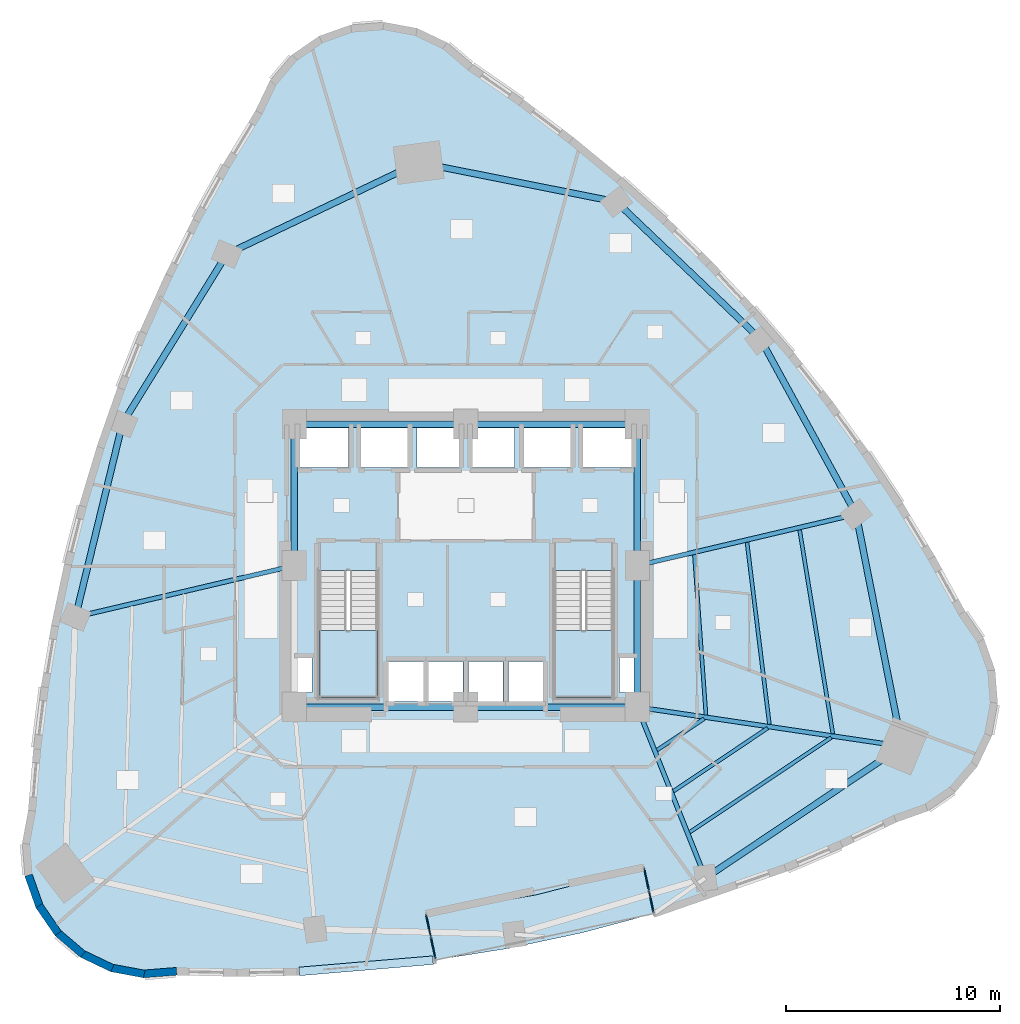
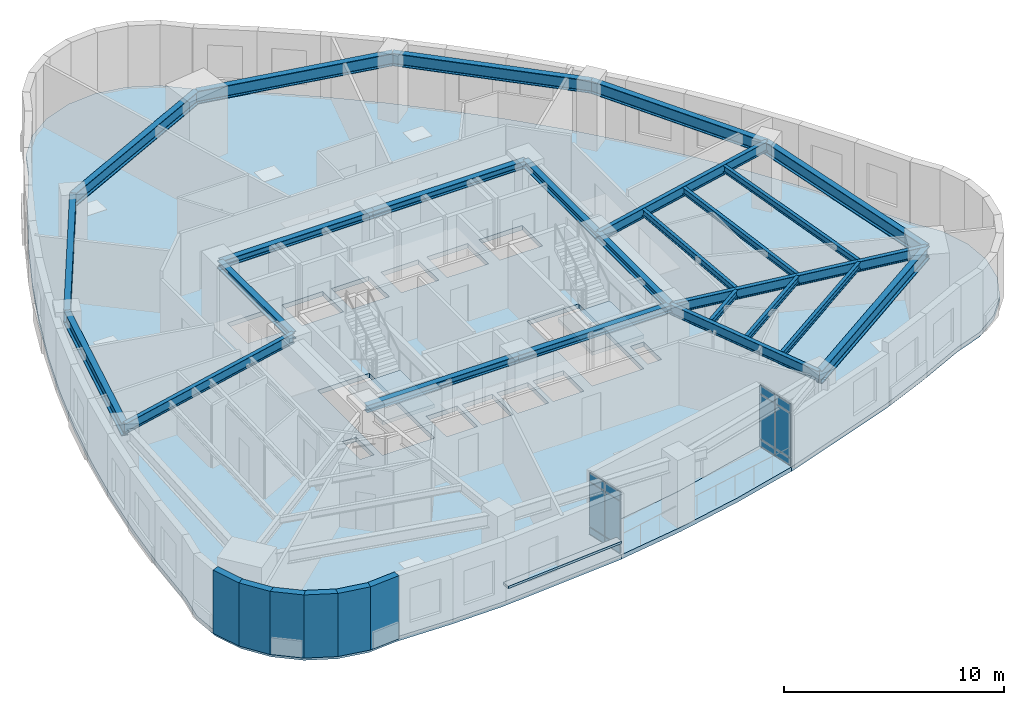
# One storey, part 4 of 12: 25 beams, 13 plates, 6 walls, 4 slabs, 4 elements without a shape of their own.
"""IFC4 building model written with IfcOpenShell, lengths in metres."""

from ifc_helpers import new_model, si_unit, direction, frame, frame_2d, origin, origin_2d, place, context, subcontext, project, spatial, polyline, rectangle, i_section, outline, extrude, material, layer, layer_set, material_profile, profile_set, type_object, element, aggregate, save


model = new_model("IFC4")

# Units and contexts
model_context = context("Model", 3, precision=1e-05, world=origin(), true_north=direction((0.0, 1.0)))
body_context = subcontext(model_context, "Body", "Model", "MODEL_VIEW")
ifc_project = project(units=[si_unit("LENGTHUNIT", "METRE"), si_unit("AREAUNIT", "SQUARE_METRE"), si_unit("VOLUMEUNIT", "CUBIC_METRE"), si_unit("PLANEANGLEUNIT", "RADIAN"), si_unit("MASSUNIT", "GRAM", prefix="KILO")], contexts=[model_context])

# Site, building, storey
site_placement = place(None, origin())
site = spatial("IfcSite", under=ifc_project, at=site_placement, CompositionType="ELEMENT")
building_placement = place(site_placement, origin())
building = spatial("IfcBuilding", under=site, at=building_placement, Name="Ndelora Gate Hotel", CompositionType="ELEMENT")
storey_placement = place(building_placement, frame((0.0, 0.0, 75.5)))
storey = spatial("IfcBuildingStorey", under=building, at=storey_placement, Name="L18", CompositionType="ELEMENT", Elevation=75.5)

# Beams
ifc_material_1 = material(Name="Steel S355", Category="steel")
ifc_material_profile_1 = material_profile(ifc_material_1, i_section(OverallWidth=0.300048828125, OverallDepth=0.39990234375, WebThickness=0.013427734375, FlangeThickness=0.02392578125, FilletRadius=0.027099609375, at=origin_2d()), Name="HEB 400")
ifc_profile_set_1 = profile_set([ifc_material_profile_1], Name="Steel S355")
beam_type_1 = type_object("IfcBeamType", Name="BM-CORE-400", PredefinedType="BEAM", material=ifc_profile_set_1)
for number, where, z_axis, x_axis, name in (
    (1, (-8.0, 6.60009765625, 3.300048828125), (1.0, 0.0, 0.0), (0.0, 1.0, 0.0), "L18 Core Tie Girder CC7-CC6"),
    (2, (0.0, 6.60009765625, 3.300048828125), (1.0, 0.0, 0.0), (0.0, 1.0, 0.0), "L18 Core Tie Girder CC6-CC5"),
):
    element("IfcBeam", number, at=place(storey_placement, frame(where, z_axis=z_axis, x_axis=x_axis)), inside=storey, type_object=beam_type_1, Name=name, PredefinedType="BEAM", context=body_context, shape_type="SweptSolid", body=[
        extrude(i_section(OverallWidth=0.300048828125, OverallDepth=0.39990234375, WebThickness=0.013427734375, FlangeThickness=0.02392578125, FilletRadius=0.027099609375, at=origin_2d()), origin(), (0.0, 0.0, 1.0), 8.0),
    ])
for number, where, z_axis, x_axis, name in (
    (3, (-8.0, 0.0, 3.300048828125), (0.0, 1.0, 0.0), (-1.0, 0.0, 0.0), "L18 Core Tie Girder CC8-CC7"),
    (4, (8.0, -6.60009765625, 3.300048828125), (0.0, 1.0, 0.0), (-1.0, 0.0, 0.0), "L18 Core Tie Girder CC3-CC4"),
    (5, (8.0, 0.0, 3.300048828125), (0.0, 1.0, 0.0), (-1.0, 0.0, 0.0), "L18 Core Tie Girder CC4-CC5"),
):
    element("IfcBeam", number, at=place(storey_placement, frame(where, z_axis=z_axis, x_axis=x_axis)), inside=storey, type_object=beam_type_1, Name=name, PredefinedType="BEAM", context=body_context, shape_type="SweptSolid", body=[
        extrude(i_section(OverallWidth=0.300048828125, OverallDepth=0.39990234375, WebThickness=0.013427734375, FlangeThickness=0.02392578125, FilletRadius=0.027099609375, at=origin_2d()), origin(), (0.0, 0.0, 1.0), 6.60009765625),
    ])
for number, where, z_axis, x_axis, name in (
    (6, (-8.0, -6.60009765625, 3.300048828125), (1.0, 0.0, 0.0), (0.0, 1.0, 0.0), "L18 Core Tie Girder CC1-CC2"),
    (7, (0.0, -6.60009765625, 3.300048828125), (1.0, 0.0, 0.0), (0.0, 1.0, 0.0), "L18 Core Tie Girder CC2-CC3"),
):
    element("IfcBeam", number, at=place(storey_placement, frame(where, z_axis=z_axis, x_axis=x_axis)), inside=storey, type_object=beam_type_1, Name=name, PredefinedType="BEAM", context=body_context, shape_type="SweptSolid", body=[
        extrude(i_section(OverallWidth=0.300048828125, OverallDepth=0.39990234375, WebThickness=0.013427734375, FlangeThickness=0.02392578125, FilletRadius=0.027099609375, at=origin_2d()), origin(), (0.0, 0.0, 1.0), 8.0),
    ])
ifc_material_profile_2 = material_profile(ifc_material_1, i_section(OverallWidth=0.169921875, OverallDepth=0.360107421875, WebThickness=0.008056640625, FlangeThickness=0.0126953125, FilletRadius=0.01806640625, at=origin_2d()), Name="IPE 360")
ifc_profile_set_2 = profile_set([ifc_material_profile_2], Name="Steel S355")
beam_type_2 = type_object("IfcBeamType", Name="BM-JST-360", PredefinedType="JOIST", material=ifc_profile_set_2)
beam_1_placement = place(storey_placement, frame((8.922119140625, -8.608154296875, 3.320068359375), z_axis=(0.830952990267, 0.556342635402, 0.0), x_axis=(-0.556342635402, 0.830952990267, 0.0)))
element("IfcBeam", 8, at=beam_1_placement, inside=storey, type_object=beam_type_2, Name="L18 Secondary Composite Floor Joist IN-8", PredefinedType="JOIST", context=body_context, shape_type="SweptSolid", body=[
    extrude(i_section(OverallWidth=0.169921875, OverallDepth=0.360107421875, WebThickness=0.008056640625, FlangeThickness=0.0126953125, FilletRadius=0.01806640625, at=origin_2d()), origin(), (0.0, 0.0, 1.0), 2.6396484375),
])
beam_2_placement = place(storey_placement, frame((9.685302734375, -10.520751953125, 3.320068359375), z_axis=(0.83093347578, 0.556371781121, 0.0), x_axis=(-0.556371781121, 0.83093347578, 0.0)))
element("IfcBeam", 9, at=beam_2_placement, inside=storey, type_object=beam_type_2, Name="L18 Secondary Composite Floor Joist MID-8", PredefinedType="JOIST", context=body_context, shape_type="SweptSolid", body=[
    extrude(i_section(OverallWidth=0.169921875, OverallDepth=0.360107421875, WebThickness=0.008056640625, FlangeThickness=0.0126953125, FilletRadius=0.01806640625, at=origin_2d()), origin(), (0.0, 0.0, 1.0), 5.2880859375),
])
beam_3_placement = place(storey_placement, frame((10.448486328125, -12.433349609375, 3.320068359375), z_axis=(0.830936507521, 0.556367253231, 0.0), x_axis=(-0.556367253231, 0.830936507521, 0.0)))
element("IfcBeam", 10, at=beam_3_placement, inside=storey, type_object=beam_type_2, Name="L18 Secondary Composite Floor Joist OUT-8", PredefinedType="JOIST", context=body_context, shape_type="SweptSolid", body=[
    extrude(i_section(OverallWidth=0.169921875, OverallDepth=0.360107421875, WebThickness=0.008056640625, FlangeThickness=0.0126953125, FilletRadius=0.01806640625, at=origin_2d()), origin(), (0.0, 0.0, 1.0), 7.936767578125),
])
beam_4_placement = place(storey_placement, frame((11.20263671875, -6.9609375, 3.320068359375), z_axis=(-0.072176031603, 0.997391909162, 0.0), x_axis=(-0.997391909162, -0.072176031603, 0.0)))
element("IfcBeam", 11, at=beam_4_placement, inside=storey, type_object=beam_type_2, Name="L18 Secondary Composite Floor Joist IN-9", PredefinedType="JOIST", context=body_context, shape_type="SweptSolid", body=[
    extrude(i_section(OverallWidth=0.169921875, OverallDepth=0.360107421875, WebThickness=0.008056640625, FlangeThickness=0.0126953125, FilletRadius=0.01806640625, at=origin_2d()), origin(), (0.0, 0.0, 1.0), 7.489013671875),
])
beam_5_placement = place(storey_placement, frame((14.160888671875, -7.400390625, 3.320068359375), z_axis=(-0.122030984704, 0.992526291225, 0.0), x_axis=(-0.992526291225, -0.122030984704, 0.0)))
element("IfcBeam", 12, at=beam_5_placement, inside=storey, type_object=beam_type_2, Name="L18 Secondary Composite Floor Joist MID-9", PredefinedType="JOIST", context=body_context, shape_type="SweptSolid", body=[
    extrude(i_section(OverallWidth=0.169921875, OverallDepth=0.360107421875, WebThickness=0.008056640625, FlangeThickness=0.0126953125, FilletRadius=0.01806640625, at=origin_2d()), origin(), (0.0, 0.0, 1.0), 8.548828125),
])
beam_6_placement = place(storey_placement, frame((17.12060546875, -7.840087890625, 3.320068359375), z_axis=(-0.160901992796, 0.986970388975, 0.0), x_axis=(-0.986970388975, -0.160901992796, 0.0)))
element("IfcBeam", 13, at=beam_6_placement, inside=storey, type_object=beam_type_2, Name="L18 Secondary Composite Floor Joist OUT-9", PredefinedType="JOIST", context=body_context, shape_type="SweptSolid", body=[
    extrude(i_section(OverallWidth=0.169921875, OverallDepth=0.360107421875, WebThickness=0.008056640625, FlangeThickness=0.0126953125, FilletRadius=0.01806640625, at=origin_2d()), origin(), (0.0, 0.0, 1.0), 9.6259765625),
])
ifc_material_profile_3 = material_profile(ifc_material_1, i_section(OverallWidth=0.2099609375, OverallDepth=0.550048828125, WebThickness=0.010986328125, FlangeThickness=0.01708984375, FilletRadius=0.02392578125, at=origin_2d()), Name="IPE 550")
ifc_profile_set_3 = profile_set([ifc_material_profile_3], Name="Steel S355")
beam_type_3 = type_object("IfcBeamType", Name="BM-RAD-550", PredefinedType="BEAM", material=ifc_profile_set_3)
beam_7_placement = place(storey_placement, frame((-8.0, 0.0, 3.22509765625), z_axis=(-0.973517848051, -0.22861102232, 0.0), x_axis=(0.22861102232, -0.973517848051, 0.0)))
element("IfcBeam", 14, at=beam_7_placement, inside=storey, type_object=beam_type_3, Name="L18 Radial Floor Girder 4", PredefinedType="BEAM", context=body_context, shape_type="SweptSolid", body=[
    extrude(i_section(OverallWidth=0.2099609375, OverallDepth=0.550048828125, WebThickness=0.010986328125, FlangeThickness=0.01708984375, FilletRadius=0.02392578125, at=origin_2d()), origin(), (0.0, 0.0, 1.0), 10.48486328125),
])
beam_8_placement = place(storey_placement, frame((8.0, -6.60009765625, 3.22509765625), z_axis=(0.37056142644, -0.92880796144, 0.0), x_axis=(0.92880796144, 0.37056142644, 0.0)))
element("IfcBeam", 15, at=beam_8_placement, inside=storey, type_object=beam_type_3, Name="L18 Radial Floor Girder 8", PredefinedType="BEAM", context=body_context, shape_type="SweptSolid", body=[
    extrude(i_section(OverallWidth=0.2099609375, OverallDepth=0.550048828125, WebThickness=0.010986328125, FlangeThickness=0.01708984375, FilletRadius=0.02392578125, at=origin_2d()), origin(), (0.0, 0.0, 1.0), 8.580078125),
])
beam_9_placement = place(storey_placement, frame((8.0, -6.60009765625, 3.22509765625), z_axis=(0.989209761041, -0.146506138649, 0.0), x_axis=(0.146506138649, 0.989209761041, 0.0)))
element("IfcBeam", 16, at=beam_9_placement, inside=storey, type_object=beam_type_3, Name="L18 Radial Floor Girder 9", PredefinedType="BEAM", context=body_context, shape_type="SweptSolid", body=[
    extrude(i_section(OverallWidth=0.2099609375, OverallDepth=0.550048828125, WebThickness=0.010986328125, FlangeThickness=0.01708984375, FilletRadius=0.02392578125, at=origin_2d()), origin(), (0.0, 0.0, 1.0), 12.48486328125),
])
beam_10_placement = place(storey_placement, frame((8.0, 0.0, 3.22509765625), z_axis=(0.973517848051, 0.22861102232, 0.0), x_axis=(-0.22861102232, 0.973517848051, 0.0)))
element("IfcBeam", 17, at=beam_10_placement, inside=storey, type_object=beam_type_3, Name="L18 Radial Floor Girder 10", PredefinedType="BEAM", context=body_context, shape_type="SweptSolid", body=[
    extrude(i_section(OverallWidth=0.2099609375, OverallDepth=0.550048828125, WebThickness=0.010986328125, FlangeThickness=0.01708984375, FilletRadius=0.02392578125, at=origin_2d()), origin(), (0.0, 0.0, 1.0), 10.48486328125),
])
ifc_material_profile_4 = material_profile(ifc_material_1, i_section(OverallWidth=0.300048828125, OverallDepth=0.699951171875, WebThickness=0.01708984375, FlangeThickness=0.031982421875, FilletRadius=0.027099609375, at=origin_2d()), Name="HEB 700")
ifc_profile_set_4 = profile_set([ifc_material_profile_4], Name="Steel S355")
beam_type_4 = type_object("IfcBeamType", Name="BM-RING-700", PredefinedType="SPANDREL", material=ifc_profile_set_4)
beam_11_placement = place(storey_placement, frame((-2.199951171875, 18.800048828125, 3.14990234375), z_axis=(-0.902476034566, -0.43074006899, 0.0), x_axis=(0.43074006899, -0.902476034566, 0.0)))
element("IfcBeam", 18, at=beam_11_placement, inside=storey, type_object=beam_type_4, Name="L18 Perimeter Spandrel Girder 1", PredefinedType="SPANDREL", context=body_context, shape_type="SweptSolid", body=[
    extrude(i_section(OverallWidth=0.300048828125, OverallDepth=0.699951171875, WebThickness=0.01708984375, FlangeThickness=0.031982421875, FilletRadius=0.027099609375, at=origin_2d()), origin(), (0.0, 0.0, 1.0), 9.91552734375),
])
beam_12_placement = place(storey_placement, frame((-11.1484375, 14.529052734375, 3.14990234375), z_axis=(-0.524897602516, -0.851165381623, 0.0), x_axis=(0.851165381623, -0.524897602516, 0.0)))
element("IfcBeam", 19, at=beam_12_placement, inside=storey, type_object=beam_type_4, Name="L18 Perimeter Spandrel Girder 2", PredefinedType="SPANDREL", context=body_context, shape_type="SweptSolid", body=[
    extrude(i_section(OverallWidth=0.300048828125, OverallDepth=0.699951171875, WebThickness=0.01708984375, FlangeThickness=0.031982421875, FilletRadius=0.027099609375, at=origin_2d()), origin(), (0.0, 0.0, 1.0), 9.27490234375),
])
beam_13_placement = place(storey_placement, frame((-16.016845703125, 6.634521484375, 3.14990234375), z_axis=(-0.235699273714, -0.971826040179, 0.0), x_axis=(0.971826040179, -0.235699273714, 0.0)))
element("IfcBeam", 20, at=beam_13_placement, inside=storey, type_object=beam_type_4, Name="L18 Perimeter Spandrel Girder 3", PredefinedType="SPANDREL", context=body_context, shape_type="SweptSolid", body=[
    extrude(i_section(OverallWidth=0.300048828125, OverallDepth=0.699951171875, WebThickness=0.01708984375, FlangeThickness=0.031982421875, FilletRadius=0.027099609375, at=origin_2d()), origin(), (0.0, 0.0, 1.0), 9.293212890625),
])
beam_14_placement = place(storey_placement, frame((11.179443359375, -14.5693359375, 3.14990234375), z_axis=(0.830945983886, 0.556353099985, 0.0), x_axis=(-0.556353099985, 0.830945983886, 0.0)))
element("IfcBeam", 21, at=beam_14_placement, inside=storey, type_object=beam_type_4, Name="L18 Perimeter Spandrel Girder 8", PredefinedType="SPANDREL", context=body_context, shape_type="SweptSolid", body=[
    extrude(i_section(OverallWidth=0.300048828125, OverallDepth=0.699951171875, WebThickness=0.01708984375, FlangeThickness=0.031982421875, FilletRadius=0.027099609375, at=origin_2d()), origin(), (0.0, 0.0, 1.0), 11.036376953125),
])
beam_15_placement = place(storey_placement, frame((20.35009765625, -8.42919921875, 3.14990234375), z_axis=(-0.194163071691, 0.980969266385, 0.0), x_axis=(-0.980969266385, -0.194163071691, 0.0)))
element("IfcBeam", 22, at=beam_15_placement, inside=storey, type_object=beam_type_4, Name="L18 Perimeter Spandrel Girder 9", PredefinedType="SPANDREL", context=body_context, shape_type="SweptSolid", body=[
    extrude(i_section(OverallWidth=0.300048828125, OverallDepth=0.699951171875, WebThickness=0.01708984375, FlangeThickness=0.031982421875, FilletRadius=0.027099609375, at=origin_2d()), origin(), (0.0, 0.0, 1.0), 11.0361328125),
])
for number, where, z_axis, x_axis, name in (
    (23, (18.207275390625, 2.39697265625, 3.14990234375), (-0.479203651005, 0.87770374322, 0.0), (-0.87770374322, -0.479203651005, 0.0), "L18 Perimeter Spandrel Girder 10"),
    (24, (13.75390625, 10.5537109375, 3.14990234375), (-0.723784227769, 0.690026370244, 0.0), (-0.690026370244, -0.723784227769, 0.0), "L18 Perimeter Spandrel Girder 11"),
):
    element("IfcBeam", number, at=place(storey_placement, frame(where, z_axis=z_axis, x_axis=x_axis)), inside=storey, type_object=beam_type_4, Name=name, PredefinedType="SPANDREL", context=body_context, shape_type="SweptSolid", body=[
        extrude(i_section(OverallWidth=0.300048828125, OverallDepth=0.699951171875, WebThickness=0.01708984375, FlangeThickness=0.031982421875, FilletRadius=0.027099609375, at=origin_2d()), origin(), (0.0, 0.0, 1.0), 9.293212890625),
    ])
beam_16_placement = place(storey_placement, frame((7.027587890625, 16.96630859375, 3.14990234375), z_axis=(-0.980820478164, 0.194913287424, 0.0), x_axis=(-0.194913287424, -0.980820478164, 0.0)))
element("IfcBeam", 25, at=beam_16_placement, inside=storey, type_object=beam_type_4, Name="L18 Perimeter Spandrel Girder 12", PredefinedType="SPANDREL", context=body_context, shape_type="SweptSolid", body=[
    extrude(i_section(OverallWidth=0.300048828125, OverallDepth=0.699951171875, WebThickness=0.01708984375, FlangeThickness=0.031982421875, FilletRadius=0.027099609375, at=origin_2d()), origin(), (0.0, 0.0, 1.0), 9.407958984375),
])

# Curtain wall, plates
ifc_material_2 = material(Name="Bronze Anodised Unitised Aluminium and Low-E Glass", Category="aluminium")
ifc_layer_1 = layer(ifc_material_2, 0.199951171875)
ifc_layer_set_1 = layer_set([ifc_layer_1], Name="Bronze Anodised Unitised Aluminium and Low-E Glass")
curtain_wall_type = type_object("IfcCurtainWallType", Name="CW-SYS-3", PredefinedType="NOTDEFINED", material=ifc_layer_set_1)
curtain_wall_1_placement = place(storey_placement, origin())
curtain_wall_1 = element("IfcCurtainWall", 26, at=curtain_wall_1_placement, inside=storey, type_object=curtain_wall_type, Name="L18 Sky-Garden Loggia Side Curtain Wall CW3-1", PredefinedType="NOTDEFINED")
ifc_material_3 = material(Name="Solar-Control Low-E Insulated Glazing", Category="glass")
ifc_layer_2 = layer(ifc_material_3, 0.048095703125)
ifc_layer_set_2 = layer_set([ifc_layer_2], Name="Solar-Control Low-E Insulated Glazing")
plate_type_1 = type_object("IfcPlateType", Name="PL-CW-GLZ36", PredefinedType="CURTAIN_PANEL", material=ifc_layer_set_2)
plate_1_placement = place(storey_placement, frame((-1.74560546875, -16.798095703125, 0.05908203125), z_axis=(0.0, 0.0, 1.0), x_axis=(0.207911488567, -0.978147643724, 0.0)))
plate_1 = element("IfcPlate", 27, at=plate_1_placement, type_object=plate_type_1, Name="CW3 panel 1.1", PredefinedType="CURTAIN_PANEL", context=body_context, shape_type="SweptSolid", body=[
    extrude(rectangle(XDim=1.014404296875, YDim=0.048095703125, at=origin_2d()), origin(), (0.0, 0.0, 1.0), 0.364501953125),
])
plate_2_placement = place(storey_placement, frame((-1.74560546875, -16.798095703125, 0.4765625), z_axis=(0.0, 0.0, 1.0), x_axis=(0.207911488567, -0.978147643724, 0.0)))
plate_2 = element("IfcPlate", 28, at=plate_2_placement, type_object=plate_type_1, Name="CW3 panel 1.2", PredefinedType="CURTAIN_PANEL", context=body_context, shape_type="SweptSolid", body=[
    extrude(rectangle(XDim=1.014404296875, YDim=0.048095703125, at=origin_2d()), origin(), (0.0, 0.0, 1.0), 2.447021484375),
])
plate_3_placement = place(storey_placement, frame((-1.74560546875, -16.798095703125, 2.9765625), z_axis=(0.0, 0.0, 1.0), x_axis=(0.207911488567, -0.978147643724, 0.0)))
plate_3 = element("IfcPlate", 29, at=plate_3_placement, type_object=plate_type_1, Name="CW3 panel 1.3", PredefinedType="CURTAIN_PANEL", context=body_context, shape_type="SweptSolid", body=[
    extrude(rectangle(XDim=1.014404296875, YDim=0.048095703125, at=origin_2d()), origin(), (0.0, 0.0, 1.0), 0.464599609375),
])
plate_4_placement = place(storey_placement, frame((-1.523681640625, -17.84228515625, 0.05908203125), z_axis=(0.0, 0.0, 1.0), x_axis=(0.207911488567, -0.978147643724, 0.0)))
plate_4 = element("IfcPlate", 30, at=plate_4_placement, type_object=plate_type_1, Name="CW3 panel 2.1", PredefinedType="CURTAIN_PANEL", context=body_context, shape_type="SweptSolid", body=[
    extrude(rectangle(XDim=1.014404296875, YDim=0.048095703125, at=origin_2d()), origin(), (0.0, 0.0, 1.0), 0.364501953125),
])
plate_5_placement = place(storey_placement, frame((-1.523681640625, -17.84228515625, 0.4765625), z_axis=(0.0, 0.0, 1.0), x_axis=(0.207911488567, -0.978147643724, 0.0)))
plate_5 = element("IfcPlate", 31, at=plate_5_placement, type_object=plate_type_1, Name="CW3 panel 2.2", PredefinedType="CURTAIN_PANEL", context=body_context, shape_type="SweptSolid", body=[
    extrude(rectangle(XDim=1.014404296875, YDim=0.048095703125, at=origin_2d()), origin(), (0.0, 0.0, 1.0), 2.447021484375),
])
plate_6_placement = place(storey_placement, frame((-1.523681640625, -17.84228515625, 2.9765625), z_axis=(0.0, 0.0, 1.0), x_axis=(0.207911488567, -0.978147643724, 0.0)))
plate_6 = element("IfcPlate", 32, at=plate_6_placement, type_object=plate_type_1, Name="CW3 panel 2.3", PredefinedType="CURTAIN_PANEL", context=body_context, shape_type="SweptSolid", body=[
    extrude(rectangle(XDim=1.014404296875, YDim=0.048095703125, at=origin_2d()), origin(), (0.0, 0.0, 1.0), 0.464599609375),
])
aggregate(curtain_wall_1, [plate_1, plate_2, plate_3, plate_4, plate_5, plate_6])

curtain_wall_2_placement = place(storey_placement, origin())
curtain_wall_2 = element("IfcCurtainWall", 33, at=curtain_wall_2_placement, inside=storey, type_object=curtain_wall_type, Name="L18 Sky-Garden Loggia Side Curtain Wall CW3-2", PredefinedType="NOTDEFINED")
plate_7_placement = place(storey_placement, frame((8.649169921875, -15.679931640625, 0.05908203125), z_axis=(0.0, 0.0, 1.0), x_axis=(-0.207911488567, 0.978147643724, 0.0)))
plate_7 = element("IfcPlate", 34, at=plate_7_placement, type_object=plate_type_1, Name="CW3 panel 1.1", PredefinedType="CURTAIN_PANEL", context=body_context, shape_type="SweptSolid", body=[
    extrude(rectangle(XDim=1.014404296875, YDim=0.048095703125, at=origin_2d()), origin(), (0.0, 0.0, 1.0), 0.364501953125),
])
plate_8_placement = place(storey_placement, frame((8.649169921875, -15.679931640625, 0.4765625), z_axis=(0.0, 0.0, 1.0), x_axis=(-0.207911488567, 0.978147643724, 0.0)))
plate_8 = element("IfcPlate", 35, at=plate_8_placement, type_object=plate_type_1, Name="CW3 panel 1.2", PredefinedType="CURTAIN_PANEL", context=body_context, shape_type="SweptSolid", body=[
    extrude(rectangle(XDim=1.014404296875, YDim=0.048095703125, at=origin_2d()), origin(), (0.0, 0.0, 1.0), 2.447021484375),
])
plate_9_placement = place(storey_placement, frame((8.649169921875, -15.679931640625, 2.9765625), z_axis=(0.0, 0.0, 1.0), x_axis=(-0.207911488567, 0.978147643724, 0.0)))
plate_9 = element("IfcPlate", 36, at=plate_9_placement, type_object=plate_type_1, Name="CW3 panel 1.3", PredefinedType="CURTAIN_PANEL", context=body_context, shape_type="SweptSolid", body=[
    extrude(rectangle(XDim=1.014404296875, YDim=0.048095703125, at=origin_2d()), origin(), (0.0, 0.0, 1.0), 0.464599609375),
])
plate_10_placement = place(storey_placement, frame((8.42724609375, -14.6357421875, 0.05908203125), z_axis=(0.0, 0.0, 1.0), x_axis=(-0.207911488567, 0.978147643724, 0.0)))
plate_10 = element("IfcPlate", 37, at=plate_10_placement, type_object=plate_type_1, Name="CW3 panel 2.1", PredefinedType="CURTAIN_PANEL", context=body_context, shape_type="SweptSolid", body=[
    extrude(rectangle(XDim=1.014404296875, YDim=0.048095703125, at=origin_2d()), origin(), (0.0, 0.0, 1.0), 0.364501953125),
])
plate_11_placement = place(storey_placement, frame((8.42724609375, -14.6357421875, 0.4765625), z_axis=(0.0, 0.0, 1.0), x_axis=(-0.207911488567, 0.978147643724, 0.0)))
plate_11 = element("IfcPlate", 38, at=plate_11_placement, type_object=plate_type_1, Name="CW3 panel 2.2", PredefinedType="CURTAIN_PANEL", context=body_context, shape_type="SweptSolid", body=[
    extrude(rectangle(XDim=1.014404296875, YDim=0.048095703125, at=origin_2d()), origin(), (0.0, 0.0, 1.0), 2.447021484375),
])
plate_12_placement = place(storey_placement, frame((8.42724609375, -14.6357421875, 2.9765625), z_axis=(0.0, 0.0, 1.0), x_axis=(-0.207911488567, 0.978147643724, 0.0)))
plate_12 = element("IfcPlate", 39, at=plate_12_placement, type_object=plate_type_1, Name="CW3 panel 2.3", PredefinedType="CURTAIN_PANEL", context=body_context, shape_type="SweptSolid", body=[
    extrude(rectangle(XDim=1.014404296875, YDim=0.048095703125, at=origin_2d()), origin(), (0.0, 0.0, 1.0), 0.464599609375),
])
aggregate(curtain_wall_2, [plate_7, plate_8, plate_9, plate_10, plate_11, plate_12])

# Plate
ifc_material_4 = material(Name="Precast concrete C40/50", Category="concrete")
ifc_layer_3 = layer(ifc_material_4, 0.125)
ifc_layer_set_3 = layer_set([ifc_layer_3], Name="Precast concrete C40/50")
plate_type_2 = type_object("IfcPlateType", Name="PL-SILL-120", PredefinedType="USERDEFINED", material=ifc_layer_set_3)
plate_13_placement = place(storey_placement, frame((-4.652587890625, -18.66943359375, 0.78759765625), z_axis=(0.0, 0.0, 1.0), x_axis=(0.996478239533, 0.083851762871, 0.0)))
element("IfcPlate", 40, at=plate_13_placement, inside=storey, type_object=plate_type_2, Name="L18 Streamline Precast Ribbon Sill 31", ObjectType="RIBBON_SILL", PredefinedType="USERDEFINED", context=body_context, shape_type="SweptSolid", body=[
    extrude(rectangle(XDim=6.26611328125, YDim=0.39990234375, at=origin_2d()), origin(), (0.0, 0.0, 1.0), 0.125),
])

# Stair, slab
stair_type = type_object("IfcStairType", Name="STR-DOG-CORE", PredefinedType="HALF_TURN_STAIR", material=ifc_material_4)
stair_1_placement = place(storey_placement, origin())
stair_1 = element("IfcStair", 41, at=stair_1_placement, inside=storey, type_object=stair_type, Name="L18 Protected Core Exit Stair ST4", PredefinedType="HALF_TURN_STAIR")
ifc_layer_4 = layer(ifc_material_4, 0.219970703125)
ifc_layer_set_4 = layer_set([ifc_layer_4], Name="Precast concrete C40/50")
slab_type_1 = type_object("IfcSlabType", Name="SL-LAND-220", PredefinedType="LANDING", material=ifc_layer_set_4)
slab_1_placement = place(storey_placement, frame((0.0, 0.0, 1.675048828125)))
slab_1 = element("IfcSlab", 42, at=slab_1_placement, type_object=slab_type_1, Name="ST4 landing 1", PredefinedType="LANDING", context=body_context, shape_type="SweptSolid", body=[
    extrude(outline(polyline([(-6.85009765625, -3.030029296875), (-6.85009765625, -6.14990234375), (-4.1298828125, -6.14990234375), (-4.1298828125, -3.030029296875), (-6.85009765625, -3.030029296875)])), origin(), (0.0, 0.0, 1.0), 0.199951171875),
])
aggregate(stair_1, [slab_1])

stair_2_placement = place(storey_placement, origin())
stair_2 = element("IfcStair", 43, at=stair_2_placement, inside=storey, type_object=stair_type, Name="L18 Protected Core Exit Stair ST5", PredefinedType="HALF_TURN_STAIR")
slab_2_placement = place(storey_placement, frame((0.0, 0.0, 1.675048828125)))
slab_2 = element("IfcSlab", 44, at=slab_2_placement, type_object=slab_type_1, Name="ST5 landing 1", PredefinedType="LANDING", context=body_context, shape_type="SweptSolid", body=[
    extrude(outline(polyline([(4.1298828125, -3.030029296875), (4.1298828125, -6.14990234375), (6.85009765625, -6.14990234375), (6.85009765625, -3.030029296875), (4.1298828125, -3.030029296875)])), origin(), (0.0, 0.0, 1.0), 0.199951171875),
])
aggregate(stair_2, [slab_2])

# Slabs
ifc_layer_5 = layer(ifc_material_4, 0.239990234375)
ifc_layer_set_5 = layer_set([ifc_layer_5], Name="Precast concrete C40/50")
slab_type_2 = type_object("IfcSlabType", Name="SL-TER-240", PredefinedType="FLOOR", material=ifc_layer_set_5)
slab_3_placement = place(storey_placement, frame((0.0, 0.0, -0.239990234375)))
element("IfcSlab", 45, at=slab_3_placement, inside=storey, type_object=slab_type_2, Name="L18 Sky Garden Loggia Terrace Slab", PredefinedType="FLOOR", context=body_context, shape_type="SweptSolid", body=[
    extrude(outline(polyline([(-1.86328125, -16.244140625), (-1.406005859375, -18.39599609375), (1.98828125, -17.857421875), (5.447021484375, -17.122314453125), (8.766845703125, -16.23388671875), (8.309326171875, -14.081787109375), (3.264892578125, -15.36083984375), (-1.86328125, -16.244140625)])), origin(), (0.0, 0.0, 1.0), 0.239990234375),
])
ifc_material_5 = material(Name="Concrete C40/50", Category="concrete")
ifc_layer_6 = layer(ifc_material_5, 0.25)
ifc_layer_set_6 = layer_set([ifc_layer_6], Name="Concrete C40/50")
slab_type_3 = type_object("IfcSlabType", Name="SL-TWR-250", PredefinedType="FLOOR", material=ifc_layer_set_6)
slab_4_placement = place(storey_placement, frame((0.0, 0.0, -0.25)))
element("IfcSlab", 46, at=slab_4_placement, inside=storey, type_object=slab_type_3, Name="L18 Structural Floor Slab", PredefinedType="FLOOR", context=body_context, shape_type="SweptSolid", body=[
    extrude(outline(polyline([(0.19189453125, 23.256103515625), (-0.95947265625, 24.2392578125), (-2.325927734375, 24.89111328125), (-3.814697265625, 25.1669921875), (-5.32421875, 25.04833984375), (-6.75146484375, 24.542724609375), (-7.999267578125, 23.685302734375), (-8.982666015625, 22.533935546875), (-9.634521484375, 21.167236328125), (-11.1572265625, 18.656005859375), (-12.563720703125, 16.106689453125), (-13.85400390625, 13.52001953125), (-15.0283203125, 10.895263671875), (-16.0859375, 8.23291015625), (-17.027587890625, 5.53271484375), (-17.85302734375, 2.794677734375), (-18.56201171875, 0.018798828125), (-19.155029296875, -2.794677734375), (-19.631591796875, -5.64599609375), (-19.9921875, -8.534912109375), (-20.236083984375, -11.461669921875), (-20.51220703125, -12.950439453125), (-20.393310546875, -14.4599609375), (-19.887939453125, -15.88720703125), (-19.0302734375, -17.135009765625), (-17.87890625, -18.118408203125), (-16.512451171875, -18.770263671875), (-15.023681640625, -19.046142578125), (-13.51416015625, -18.92724609375), (-10.69482421875, -18.990234375), (-7.89892578125, -18.94287109375), (-1.406005859375, -18.39599609375), (-1.86328125, -16.244140625), (3.264892578125, -15.36083984375), (8.309326171875, -14.081787109375), (8.766845703125, -16.23388671875), (14.9208984375, -14.09228515625), (17.494384765625, -12.998291015625), (20.044189453125, -11.794189453125), (21.471435546875, -11.288818359375), (22.71923828125, -10.43115234375), (23.70263671875, -9.27978515625), (24.3544921875, -7.913330078125), (24.63037109375, -6.424560546875), (24.51171875, -4.9150390625), (24.006103515625, -3.48779296875), (23.148681640625, -2.239990234375), (21.735107421875, 0.33447265625), (20.230712890625, 2.8271484375), (18.635498046875, 5.238037109375), (16.94970703125, 7.567138671875), (15.1728515625, 9.814453125), (13.30517578125, 11.97998046875), (11.3466796875, 14.063720703125), (9.29736328125, 16.06591796875), (7.1572265625, 17.986083984375), (4.926513671875, 19.824462890625), (2.6044921875, 21.5810546875), (0.19189453125, 23.256103515625)]), holes=[polyline([(-6.85009765625, -0.22998046875), (-6.85009765625, -6.14990234375), (-4.1298828125, -6.14990234375), (-4.1298828125, -0.22998046875), (-6.85009765625, -0.22998046875)]), polyline([(4.1298828125, -0.22998046875), (4.1298828125, -6.14990234375), (6.85009765625, -6.14990234375), (6.85009765625, -0.22998046875), (4.1298828125, -0.22998046875)]), polyline([(-7.72998046875, 4.570068359375), (-5.469970703125, 4.570068359375), (-5.469970703125, 6.429931640625), (-7.72998046875, 6.429931640625), (-7.72998046875, 4.570068359375)]), polyline([(5.469970703125, 4.570068359375), (7.72998046875, 4.570068359375), (7.72998046875, 6.429931640625), (5.469970703125, 6.429931640625), (5.469970703125, 4.570068359375)]), polyline([(-4.8798828125, 4.570068359375), (-2.719970703125, 4.570068359375), (-2.719970703125, 6.429931640625), (-4.8798828125, 6.429931640625), (-4.8798828125, 4.570068359375)]), polyline([(2.719970703125, 4.570068359375), (4.8798828125, 4.570068359375), (4.8798828125, 6.429931640625), (2.719970703125, 6.429931640625), (2.719970703125, 4.570068359375)]), polyline([(-3.60009765625, -6.330078125), (-1.97998046875, -6.330078125), (-1.97998046875, -4.469970703125), (-3.60009765625, -4.469970703125), (-3.60009765625, -6.330078125)]), polyline([(-1.739990234375, -6.330078125), (-0.1201171875, -6.330078125), (-0.1201171875, -4.469970703125), (-1.739990234375, -4.469970703125), (-1.739990234375, -6.330078125)]), polyline([(0.1201171875, -6.330078125), (1.739990234375, -6.330078125), (1.739990234375, -4.469970703125), (0.1201171875, -4.469970703125), (0.1201171875, -6.330078125)]), polyline([(1.97998046875, -6.330078125), (3.60009765625, -6.330078125), (3.60009765625, -4.469970703125), (1.97998046875, -4.469970703125), (1.97998046875, -6.330078125)]), polyline([(-2.280029296875, 4.570068359375), (-0.320068359375, 4.570068359375), (-0.320068359375, 6.429931640625), (-2.280029296875, 6.429931640625), (-2.280029296875, 4.570068359375)]), polyline([(0.320068359375, 4.570068359375), (2.280029296875, 4.570068359375), (2.280029296875, 6.429931640625), (0.320068359375, 6.429931640625), (0.320068359375, 4.570068359375)]), polyline([(-7.89990234375, -5.919921875), (-7.179931640625, -5.919921875), (-7.179931640625, -4.320068359375), (-7.89990234375, -4.320068359375), (-7.89990234375, -5.919921875)]), polyline([(7.179931640625, -5.919921875), (7.89990234375, -5.919921875), (7.89990234375, -4.320068359375), (7.179931640625, -4.320068359375), (7.179931640625, -5.919921875)])]), origin(), (0.0, 0.0, 1.0), 0.25),
])

# Walls
ifc_material_6 = material(Name="Clay Brick Masonry", Category="masonry")
ifc_layer_7 = layer(ifc_material_6, 0.360107421875)
ifc_layer_set_7 = layer_set([ifc_layer_7], Name="Clay Brick Masonry")
wall_type = type_object("IfcWallType", Name="WL-BRICK-360", PredefinedType="SOLIDWALL", material=ifc_layer_set_7)
wall_placement = place(storey_placement, frame((-19.879638671875, -15.910888671875, 0.0), z_axis=(0.0, 0.0, 1.0), x_axis=(-0.333685345648, 0.942684512496, 0.0)))
element("IfcWall", 47, at=wall_placement, inside=storey, type_object=wall_type, Name="L18 Tower Brick Pier-and-Spandrel Wall TWR-23", PredefinedType="SOLIDWALL", context=body_context, shape_type="SweptSolid", body=[
    extrude(rectangle(XDim=1.564208984375, YDim=0.360107421875, at=frame_2d((0.7822265625, 0.0))), origin(), (0.0, 0.0, 1.0), 3.5),
])
for number, where, z_axis, x_axis, name in (
    (48, (-19.01611328125, -17.155517578125, 0.0), (0.0, 0.0, 1.0), (-0.566495697246, 0.824064697097, 0.0), "L18 Tower Brick Pier-and-Spandrel Wall TWR-24"),
    (49, (-17.860107421875, -18.134521484375, 0.0), (0.0, 0.0, 1.0), (-0.76042346739, 0.649427555808, 0.0), "L18 Tower Brick Pier-and-Spandrel Wall TWR-25"),
):
    element("IfcWall", number, at=place(storey_placement, frame(where, z_axis=z_axis, x_axis=x_axis)), inside=storey, type_object=wall_type, Name=name, PredefinedType="SOLIDWALL", context=body_context, shape_type="SweptSolid", body=[
        extrude(rectangle(XDim=1.56396484375, YDim=0.360107421875, at=frame_2d((0.781982421875, 0.0))), origin(), (0.0, 0.0, 1.0), 3.5),
    ])
for number, where, z_axis, x_axis, name in (
    (50, (-16.48974609375, -18.781005859375, 0.0), (0.0, 0.0, 1.0), (-0.902545831902, 0.430593800833, 0.0), "L18 Tower Brick Pier-and-Spandrel Wall TWR-26"),
    (51, (-14.9990234375, -19.05078125, 0.0), (0.0, 0.0, 1.0), (-0.983244726169, 0.18229045082, 0.0), "L18 Tower Brick Pier-and-Spandrel Wall TWR-27"),
    (52, (-13.4892578125, -18.92529296875, 0.0), (0.0, 0.0, 1.0), (-0.99691327675, -0.078510627557, 0.0), "L18 Tower Brick Pier-and-Spandrel Wall TWR-28"),
):
    element("IfcWall", number, at=place(storey_placement, frame(where, z_axis=z_axis, x_axis=x_axis)), inside=storey, type_object=wall_type, Name=name, PredefinedType="SOLIDWALL", context=body_context, shape_type="SweptSolid", body=[
        extrude(rectangle(XDim=1.564208984375, YDim=0.360107421875, at=frame_2d((0.7822265625, 0.0))), origin(), (0.0, 0.0, 1.0), 3.5),
    ])

save(model, "model.ifc")
